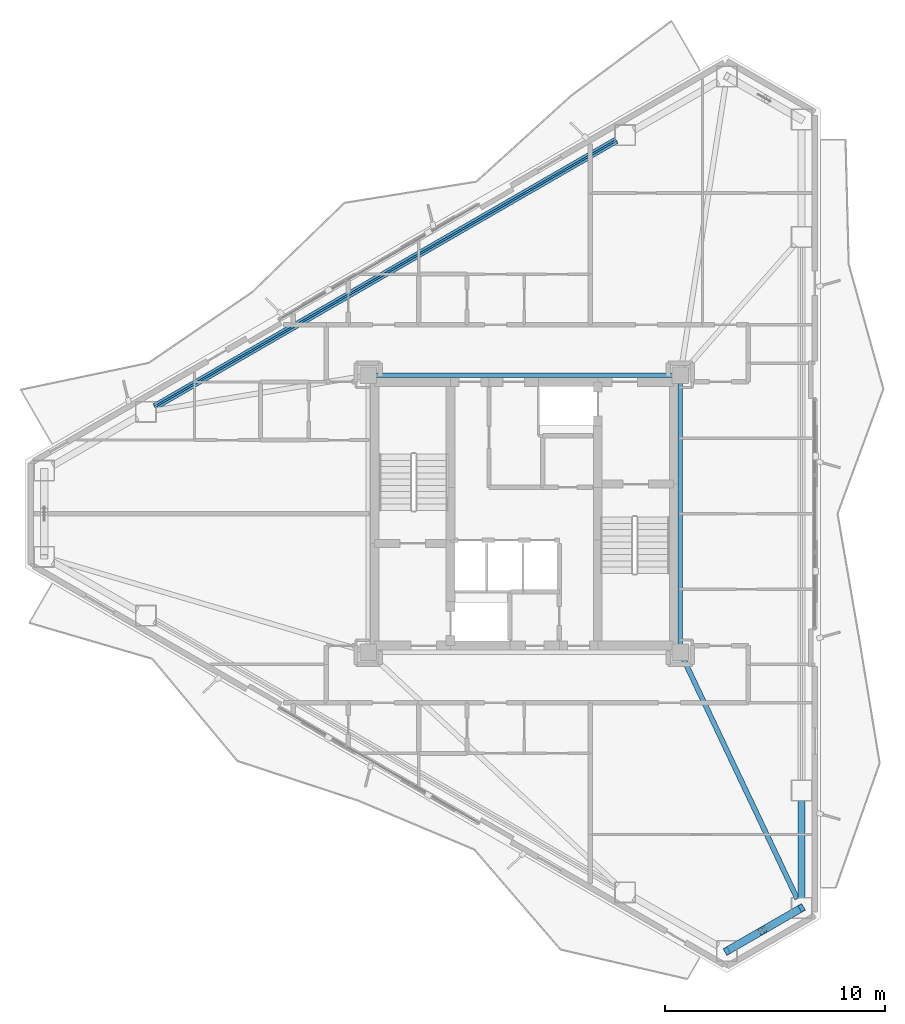
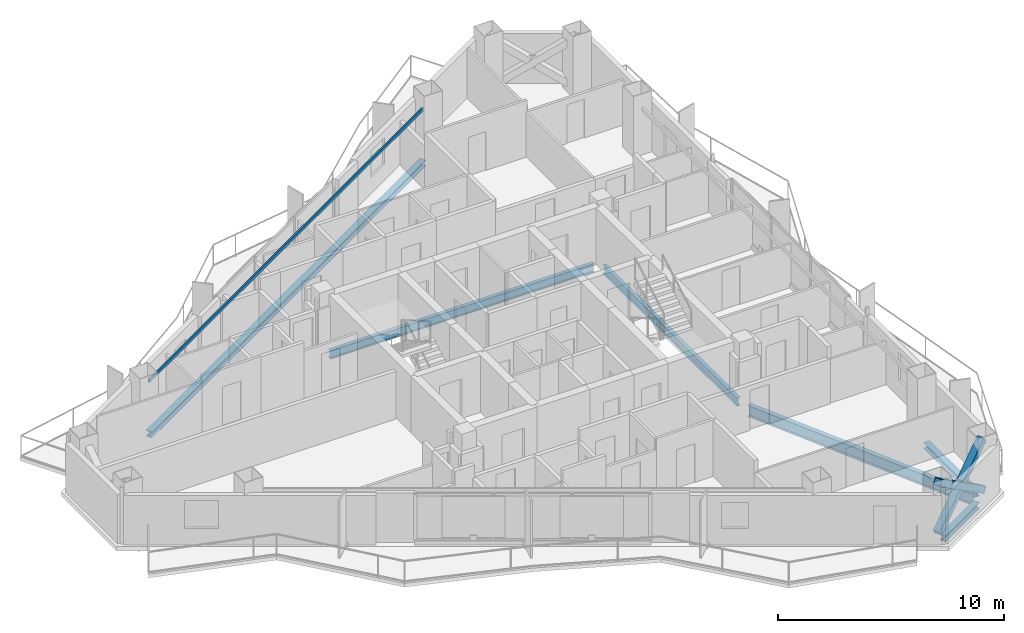
# One storey, part 6 of 18: 7 beams, 3 members.
"""IFC4 building model written with IfcOpenShell, lengths in metres."""

import ifcopenshell
import ifcopenshell.guid

model = None  # the IFC model being written
_history = None  # IfcOwnerHistory: only IFC2X3 demands one
_inside = {}  # id of a spatial element -> (the spatial element, [elements in it])
_under = {}  # id of a project, library or spatial element -> (it, [spatial elements below it])
_declared = {}  # id of a project -> (the project, [libraries it declares])
_typed = {}  # id of a type object -> (the type object, [elements of that type])
_made_of = {}  # id of a material, layer set ... -> (it, [elements and type objects made of it])


def new_model(schema):
    """Start an empty IFC model of exactly this schema.

    Asked for "IFC4X3", IfcOpenShell would pick the latest addendum, in which some entities
    have other attributes; the version numbers below select the first issue.
    IFC2X3 requires an IfcOwnerHistory on every rooted entity: one is made here for all.
    """
    global model, _history
    if schema == "IFC4X3":
        model = ifcopenshell.file(schema_version=(4, 3, 0, 0))
    else:
        model = ifcopenshell.file(schema=schema)
    _inside.clear()
    _under.clear()
    _declared.clear()
    _typed.clear()
    _made_of.clear()
    _history = None
    if model.schema == "IFC2X3":
        org = make("IfcOrganization", Name="unknown")
        user = make(
            "IfcPersonAndOrganization",
            ThePerson=make("IfcPerson", FamilyName="unknown"),
            TheOrganization=org,
        )
        app = make(
            "IfcApplication",
            ApplicationDeveloper=org,
            Version="unknown",
            ApplicationFullName="unknown",
            ApplicationIdentifier="unknown",
        )
        _history = make(
            "IfcOwnerHistory",
            OwningUser=user,
            OwningApplication=app,
            ChangeAction="ADDED",
            CreationDate=0,
        )
    return model


def make(cls, **values):
    """One entity of the class cls with the attributes given. An attribute that is None is left unset."""
    return model.create_entity(
        cls, **{name: value for name, value in values.items() if value is not None}
    )


def rooted(cls, **values):
    """An entity with a GlobalId (a new one), such as an element, a storey or a relation."""
    return make(cls, GlobalId=ifcopenshell.guid.new(), OwnerHistory=_history, **values)


def si_unit(unit_type, name, prefix=None):
    """IfcSIUnit, for example si_unit("LENGTHUNIT", "METRE", prefix="MILLI")."""
    return make("IfcSIUnit", UnitType=unit_type, Prefix=prefix, Name=name)


def assignment(units):
    """IfcUnitAssignment: the units of a project."""
    return None if units is None else make("IfcUnitAssignment", Units=units)


def point(xyz):
    """IfcCartesianPoint."""
    return None if xyz is None else make("IfcCartesianPoint", Coordinates=xyz)


def direction(xyz):
    """IfcDirection."""
    return None if xyz is None else make("IfcDirection", DirectionRatios=xyz)


def frame(location, z_axis=None, x_axis=None):
    """IfcAxis2Placement3D, a coordinate frame: its origin and axes. An axis left out is left unset."""
    return make(
        "IfcAxis2Placement3D",
        Location=point(location),
        Axis=direction(z_axis),
        RefDirection=direction(x_axis),
    )


def frame_2d(location, x_axis=None):
    """IfcAxis2Placement2D, a coordinate frame in the plane: its origin and x axis."""
    return make(
        "IfcAxis2Placement2D", Location=point(location), RefDirection=direction(x_axis)
    )


def origin():
    """The frame at (0, 0, 0) with its axes left unset."""
    return frame((0.0, 0.0, 0.0))


def origin_2d():
    """The frame at (0, 0) in the plane with its x axis left unset."""
    return frame_2d((0.0, 0.0))


def place(relative_to, where):
    """IfcLocalPlacement: puts the frame where relative to a parent placement (None: the world)."""
    return make(
        "IfcLocalPlacement", PlacementRelTo=relative_to, RelativePlacement=where
    )


def context(
    kind, dimensions, precision=None, world=None, true_north=None, identifier=None
):
    """IfcGeometricRepresentationContext, for example the 3D "Model" context."""
    return make(
        "IfcGeometricRepresentationContext",
        ContextIdentifier=identifier,
        ContextType=kind,
        CoordinateSpaceDimension=dimensions,
        Precision=precision,
        WorldCoordinateSystem=world,
        TrueNorth=true_north,
    )


def subcontext(parent, identifier, kind, view, scale=None):
    """IfcGeometricRepresentationSubContext, for example "Body" below "Model"."""
    return make(
        "IfcGeometricRepresentationSubContext",
        ContextIdentifier=identifier,
        ContextType=kind,
        ParentContext=parent,
        TargetScale=scale,
        TargetView=view,
    )


def project(units=None, contexts=None):
    """IfcProject with its units and contexts."""
    return rooted(
        "IfcProject",
        Name="project",
        RepresentationContexts=contexts,
        UnitsInContext=assignment(units),
    )


def spatial(cls, under=None, at=None, **own):
    """A site, building, storey or space (cls), placed at a placement, below another one or the project."""
    s = rooted(cls, ObjectPlacement=at, **own)
    if under is not None:
        _under.setdefault(under.id(), (under, []))[1].append(s)
    return s


def profile(cls, at=None, kind="AREA", **sizes):
    """A parametric profile (cls). Its sizes go by their IFC names, for example OverallWidth=200.0."""
    return make(cls, ProfileType=kind, Position=at, **sizes)


def hollow_rectangle(**sizes):
    """IfcRectangleHollowProfileDef."""
    return profile("IfcRectangleHollowProfileDef", **sizes)


def i_section(**sizes):
    """IfcIShapeProfileDef."""
    return profile("IfcIShapeProfileDef", **sizes)


def extrude(swept, where, along, depth):
    """IfcExtrudedAreaSolid: the profile swept, set in the frame where, extruded along a direction by depth."""
    return make(
        "IfcExtrudedAreaSolid",
        SweptArea=swept,
        Position=where,
        ExtrudedDirection=direction(along),
        Depth=depth,
    )


def shape(context_of_items, identifier, shape_type, items):
    """IfcShapeRepresentation: the items that make up one representation, for example the "Body"."""
    return make(
        "IfcShapeRepresentation",
        ContextOfItems=context_of_items,
        RepresentationIdentifier=identifier,
        RepresentationType=shape_type,
        Items=items,
    )


def material(Name=None, Category=None):
    """IfcMaterial."""
    return make("IfcMaterial", Name=Name, Category=Category)


def material_profile(
    of_material, cross_section, Name=None, Category=None, Priority=None
):
    """IfcMaterialProfile: a cross section and its material."""
    return make(
        "IfcMaterialProfile",
        Name=Name,
        Material=of_material,
        Profile=cross_section,
        Priority=Priority,
        Category=Category,
    )


def profile_set(profiles, Name=None, composite=None):
    """IfcMaterialProfileSet."""
    return make(
        "IfcMaterialProfileSet",
        Name=Name,
        MaterialProfiles=profiles,
        CompositeProfile=composite,
    )


def made_of(thing, what):
    """Note that an element or type object is made of a material, layer set ...; save() writes the relation."""
    if what is not None:
        _made_of.setdefault(what.id(), (what, []))[1].append(thing)
    return thing


def type_object(cls, material=None, **own):
    """A type object (cls), such as IfcWallType, which elements share."""
    return made_of(rooted(cls, **own), material)


def element(
    cls,
    number,
    at=None,
    inside=None,
    cuts=None,
    type_object=None,
    material=None,
    context=None,
    identifier="Body",
    shape_type=None,
    held_by="IfcProductDefinitionShape",
    body=None,
    shapes=None,
    **own,
):
    """One element of the class cls, such as IfcWall. Its Tag is "e" and its number.

    at: its placement. inside: the storey or other place that contains it. cuts: it is an
    opening in that element (IfcRelVoidsElement). A single representation is given by context,
    identifier, shape_type and body (its items); several are given by shapes. held_by: the class
    of the entity that holds the representations. save() writes the other relations.
    """
    e = rooted(cls, Tag="e%d" % number, ObjectPlacement=at, **own)
    if body is not None:
        shapes = [shape(context, identifier, shape_type, body)]
    if shapes is not None:
        e.Representation = make(held_by, Representations=shapes)
    if inside is not None:
        _inside.setdefault(inside.id(), (inside, []))[1].append(e)
    if cuts is not None:
        rooted(
            "IfcRelVoidsElement", RelatingBuildingElement=cuts, RelatedOpeningElement=e
        )
    if type_object is not None:
        _typed.setdefault(type_object.id(), (type_object, []))[1].append(e)
    return made_of(e, material)


def aggregate(whole, parts):
    """IfcRelAggregates: a whole, such as a stair, and the parts it consists of."""
    return rooted("IfcRelAggregates", RelatingObject=whole, RelatedObjects=parts)


def save(model, path):
    """Write the relations noted so far, then the file.

    IfcRelAggregates (storeys below a building ...), IfcRelContainedInSpatialStructure (elements
    in a storey), IfcRelDefinesByType, IfcRelAssociatesMaterial and IfcRelDeclares: one each for
    every whole, place, type object, material and project.
    """
    for whole, parts in _under.values():
        aggregate(whole, parts)
    for where, things in _inside.values():
        rooted(
            "IfcRelContainedInSpatialStructure",
            RelatedElements=things,
            RelatingStructure=where,
        )
    for kind, things in _typed.values():
        rooted("IfcRelDefinesByType", RelatedObjects=things, RelatingType=kind)
    for what, things in _made_of.values():
        rooted("IfcRelAssociatesMaterial", RelatedObjects=things, RelatingMaterial=what)
    for by, libraries in _declared.values():
        rooted("IfcRelDeclares", RelatingContext=by, RelatedDefinitions=libraries)
    model.write(path)


model = new_model("IFC4")

# Units and contexts
model_context = context("Model", 3, precision=1e-05, world=origin(), true_north=direction((0.0, 1.0)))
body_context = subcontext(model_context, "Body", "Model", "MODEL_VIEW")
ifc_project = project(units=[si_unit("LENGTHUNIT", "METRE"), si_unit("AREAUNIT", "SQUARE_METRE"), si_unit("VOLUMEUNIT", "CUBIC_METRE"), si_unit("PLANEANGLEUNIT", "RADIAN"), si_unit("MASSUNIT", "GRAM", prefix="KILO")], contexts=[model_context])

# Site, building, storey
site_placement = place(None, origin())
site = spatial("IfcSite", under=ifc_project, at=site_placement, CompositionType="ELEMENT")
building_placement = place(site_placement, origin())
building = spatial("IfcBuilding", under=site, at=building_placement, Name="Mersakhor Tower and Convention Hall", CompositionType="ELEMENT")
storey_placement = place(building_placement, frame((0.0, 0.0, 150.89990234375)))
storey = spatial("IfcBuildingStorey", under=building, at=storey_placement, Name="L42", CompositionType="ELEMENT", Elevation=150.89990234375)

# Beams
ifc_material_1 = material(Name="Steel S355", Category="steel")
ifc_material_profile_1 = material_profile(ifc_material_1, i_section(OverallWidth=0.19140625, OverallDepth=0.4599609375, WebThickness=0.010009765625, FlangeThickness=0.01611328125, at=origin_2d()), Name="UB 457x191x82")
ifc_profile_set_1 = profile_set([ifc_material_profile_1], Name="Steel S355")
beam_type_1 = type_object("IfcBeamType", Name="BM-FB-457", PredefinedType="BEAM", material=ifc_profile_set_1)
beam_1_placement = place(storey_placement, frame((22.2548828125, 33.050048828125, -0.469970703125), z_axis=(1.0, 0.0, 0.0), x_axis=(0.0, 1.0, 0.0)))
element("IfcBeam", 1, at=beam_1_placement, inside=storey, type_object=beam_type_1, Name="L42 Core Ring Tie Beam CRB-2", PredefinedType="BEAM", context=body_context, shape_type="SweptSolid", body=[
    extrude(i_section(OverallWidth=0.19140625, OverallDepth=0.4599609375, WebThickness=0.010009765625, FlangeThickness=0.01611328125, at=origin_2d()), origin(), (0.0, 0.0, 1.0), 13.490234375),
])
beam_2_placement = place(storey_placement, frame((36.10009765625, 32.695068359375, -0.469970703125), z_axis=(0.0, -1.0, 0.0), x_axis=(1.0, 0.0, 0.0)))
element("IfcBeam", 2, at=beam_2_placement, inside=storey, type_object=beam_type_1, Name="L42 Core Ring Tie Beam CRB-3", PredefinedType="BEAM", context=body_context, shape_type="SweptSolid", body=[
    extrude(i_section(OverallWidth=0.19140625, OverallDepth=0.4599609375, WebThickness=0.010009765625, FlangeThickness=0.01611328125, at=origin_2d()), origin(), (0.0, 0.0, 1.0), 11.89013671875),
])
ifc_material_2 = material(Name="Steel S355", Category="steel")
ifc_material_profile_2 = material_profile(ifc_material_2, hollow_rectangle(XDim=0.080078125, YDim=0.179931640625, WallThickness=0.008056640625, at=origin_2d()), Name="RHS 180x80x8")
ifc_profile_set_2 = profile_set([ifc_material_profile_2], Name="Steel S355")
beam_type_2 = type_object("IfcBeamType", Name="BM-GRT-RHS180", PredefinedType="USERDEFINED", material=ifc_profile_set_2)
beam_3_placement = place(storey_placement, frame((12.182373046875, 31.61181640625, 2.47998046875), z_axis=(0.866027433267, 0.499996484816, 0.0), x_axis=(-0.499996484816, 0.866027433267, 0.0)))
element("IfcBeam", 3, at=beam_3_placement, inside=storey, type_object=beam_type_2, Name="L42 Facade Support Girt GRT-F1", ObjectType="GIRT", PredefinedType="USERDEFINED", context=body_context, shape_type="SweptSolid", body=[
    extrude(hollow_rectangle(XDim=0.080078125, YDim=0.179931640625, WallThickness=0.008056640625, at=origin_2d()), origin(), (0.0, 0.0, 1.0), 24.267333984375),
])
ifc_material_3 = material(Name="Steel S355", Category="steel")
ifc_material_profile_3 = material_profile(ifc_material_3, i_section(OverallWidth=0.22900390625, OverallDepth=0.6123046875, WebThickness=0.011962890625, FlangeThickness=0.01953125, at=origin_2d()), Name="UB 610x229x125")
ifc_profile_set_3 = profile_set([ifc_material_profile_3], Name="Steel S355")
beam_type_3 = type_object("IfcBeamType", Name="BM-PR-610", PredefinedType="BEAM", material=ifc_profile_set_3)
beam_4_placement = place(storey_placement, frame((36.252197265625, 20.12939453125, -0.5458984375), z_axis=(0.428664675599, -0.903463666061, 0.0), x_axis=(0.903463666061, 0.428664675599, 0.0)))
element("IfcBeam", 4, at=beam_4_placement, inside=storey, type_object=beam_type_3, Name="L42 Primary Floor Girder FG-4", PredefinedType="BEAM", context=body_context, shape_type="SweptSolid", body=[
    extrude(i_section(OverallWidth=0.22900390625, OverallDepth=0.6123046875, WebThickness=0.011962890625, FlangeThickness=0.01953125, at=origin_2d()), origin(), (0.0, 0.0, 1.0), 12.065673828125),
])
ifc_material_4 = material(Name="Steel S355", Category="steel")
ifc_material_profile_4 = material_profile(ifc_material_4, i_section(OverallWidth=0.30908203125, OverallDepth=0.320556640625, WebThickness=0.013916015625, FlangeThickness=0.021728515625, at=origin_2d()), Name="UC 305x305x137")
ifc_profile_set_4 = profile_set([ifc_material_profile_4], Name="Steel S355")
beam_type_4 = type_object("IfcBeamType", Name="BM-SPD-UC305", PredefinedType="SPANDREL", material=ifc_profile_set_4)
beam_5_placement = place(storey_placement, frame((12.182373046875, 31.61181640625, -0.400146484375), z_axis=(0.866027433267, 0.499996484816, 0.0), x_axis=(-0.499996484816, 0.866027433267, 0.0)))
element("IfcBeam", 5, at=beam_5_placement, inside=storey, type_object=beam_type_4, Name="L42 Perimeter Spandrel Beam SPB-02", PredefinedType="SPANDREL", context=body_context, shape_type="SweptSolid", body=[
    extrude(i_section(OverallWidth=0.30908203125, OverallDepth=0.320556640625, WebThickness=0.013916015625, FlangeThickness=0.021728515625, at=origin_2d()), origin(), (0.0, 0.0, 1.0), 24.267333984375),
])
beam_6_placement = place(storey_placement, frame((41.619140625, 13.706298828125, -0.400146484375), z_axis=(0.0, -1.0, 0.0), x_axis=(1.0, 0.0, 0.0)))
element("IfcBeam", 6, at=beam_6_placement, inside=storey, type_object=beam_type_4, Name="L42 Perimeter Spandrel Beam SPB-07", PredefinedType="SPANDREL", context=body_context, shape_type="SweptSolid", body=[
    extrude(i_section(OverallWidth=0.30908203125, OverallDepth=0.320556640625, WebThickness=0.013916015625, FlangeThickness=0.021728515625, at=origin_2d()), origin(), (0.0, 0.0, 1.0), 4.433837890625),
])
beam_7_placement = place(storey_placement, frame((41.22509765625, 8.58984375, -0.400146484375), z_axis=(-0.86604667077, -0.499963162692, 0.0), x_axis=(0.499963162692, -0.86604667077, 0.0)))
element("IfcBeam", 7, at=beam_7_placement, inside=storey, type_object=beam_type_4, Name="L42 Perimeter Spandrel Beam SPB-08", PredefinedType="SPANDREL", context=body_context, shape_type="SweptSolid", body=[
    extrude(i_section(OverallWidth=0.30908203125, OverallDepth=0.320556640625, WebThickness=0.013916015625, FlangeThickness=0.021728515625, at=origin_2d()), origin(), (0.0, 0.0, 1.0), 3.014404296875),
])

# Members
ifc_material_5 = material(Name="Steel S460", Category="steel")
ifc_material_profile_5 = material_profile(ifc_material_5, hollow_rectangle(XDim=0.35009765625, YDim=0.35009765625, WallThickness=0.02001953125, at=origin_2d()), Name="SHS 350x350x20")
ifc_profile_set_5 = profile_set([ifc_material_profile_5], Name="Steel S460")
member_type = type_object("IfcMemberType", Name="MB-BRC-SHS350", PredefinedType="BRACE", material=ifc_profile_set_5)
member_placement = place(storey_placement, frame((41.619140625, 8.8173828125, 0.150146484375), z_axis=(-0.70838533923, -0.408971551713, 0.575267312693), x_axis=(0.499986324622, -0.866033299124, 0.0)))
element("IfcMember", 8, at=member_placement, inside=storey, type_object=member_type, Name="L42 Chamfer Braced Frame Diagonal CB-2A", PredefinedType="BRACE", context=body_context, shape_type="SweptSolid", body=[
    extrude(hollow_rectangle(XDim=0.35009765625, YDim=0.35009765625, WallThickness=0.02001953125, at=origin_2d()), origin(), (0.0, 0.0, 1.0), 4.7978515625),
])
for number, where, z_axis, x_axis, name in (
    (9, (38.220458984375, 6.855224609375, 0.150146484375), (0.708409139881, 0.409012716899, 0.575208734242), (-0.500011469263, 0.866018781901, 0.0), "L42 Chamfer Braced Frame Diagonal CB-2B Lower Half"),
    (10, (40.05712890625, 7.91552734375, 1.6416015625), (0.708364021879, 0.408986667212, 0.575282816143), (-0.500011469263, 0.866018781901, 0.0), "L42 Chamfer Braced Frame Diagonal CB-2B Upper Half"),
):
    element("IfcMember", number, at=place(storey_placement, frame(where, z_axis=z_axis, x_axis=x_axis)), inside=storey, type_object=member_type, Name=name, PredefinedType="BRACE", context=body_context, shape_type="SweptSolid", body=[
        extrude(hollow_rectangle(XDim=0.35009765625, YDim=0.35009765625, WallThickness=0.02001953125, at=origin_2d()), origin(), (0.0, 0.0, 1.0), 2.205078125),
    ])

save(model, "model.ifc")
